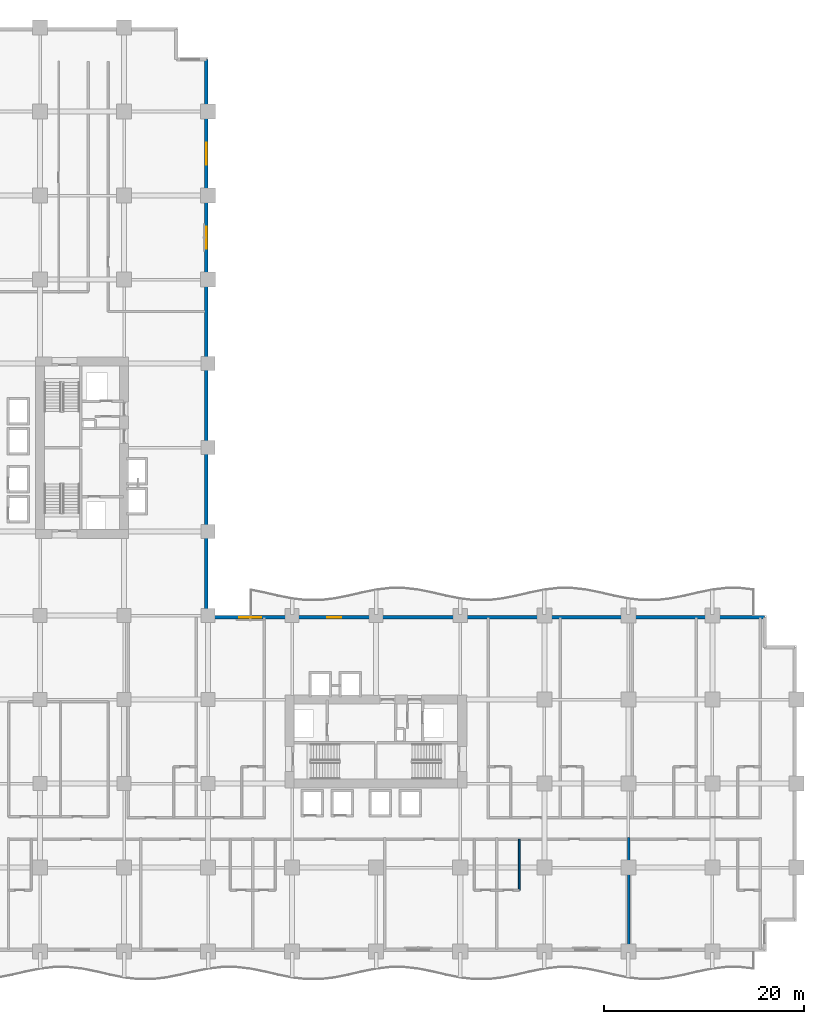
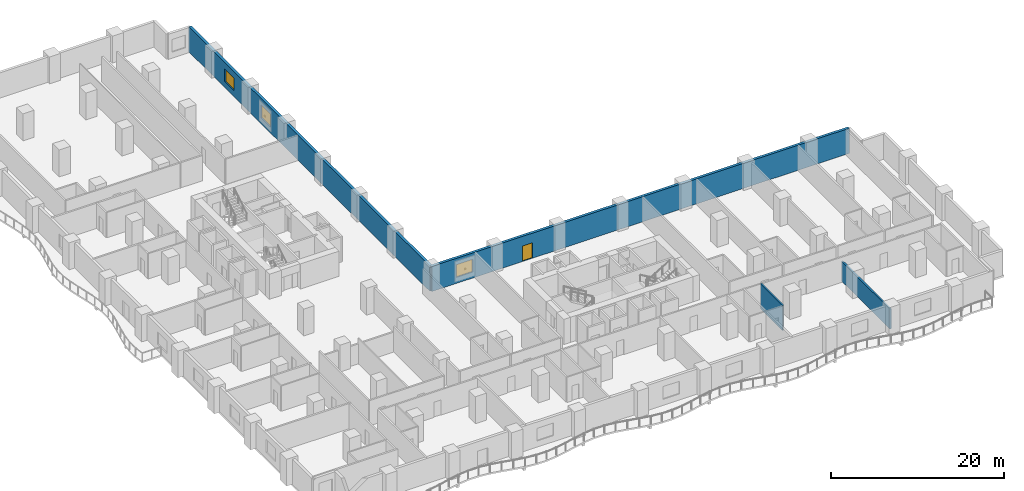
# One storey, part 11 of 22: 4 walls, 3 windows, 1 door, 4 openings.
"""IFC4 building model written with IfcOpenShell, lengths in metres."""

import ifcopenshell
import ifcopenshell.guid

model = None  # the IFC model being written
_history = None  # IfcOwnerHistory: only IFC2X3 demands one
_inside = {}  # id of a spatial element -> (the spatial element, [elements in it])
_under = {}  # id of a project, library or spatial element -> (it, [spatial elements below it])
_declared = {}  # id of a project -> (the project, [libraries it declares])
_typed = {}  # id of a type object -> (the type object, [elements of that type])
_made_of = {}  # id of a material, layer set ... -> (it, [elements and type objects made of it])


def new_model(schema):
    """Start an empty IFC model of exactly this schema.

    Asked for "IFC4X3", IfcOpenShell would pick the latest addendum, in which some entities
    have other attributes; the version numbers below select the first issue.
    IFC2X3 requires an IfcOwnerHistory on every rooted entity: one is made here for all.
    """
    global model, _history
    if schema == "IFC4X3":
        model = ifcopenshell.file(schema_version=(4, 3, 0, 0))
    else:
        model = ifcopenshell.file(schema=schema)
    _inside.clear()
    _under.clear()
    _declared.clear()
    _typed.clear()
    _made_of.clear()
    _history = None
    if model.schema == "IFC2X3":
        org = make("IfcOrganization", Name="unknown")
        user = make(
            "IfcPersonAndOrganization",
            ThePerson=make("IfcPerson", FamilyName="unknown"),
            TheOrganization=org,
        )
        app = make(
            "IfcApplication",
            ApplicationDeveloper=org,
            Version="unknown",
            ApplicationFullName="unknown",
            ApplicationIdentifier="unknown",
        )
        _history = make(
            "IfcOwnerHistory",
            OwningUser=user,
            OwningApplication=app,
            ChangeAction="ADDED",
            CreationDate=0,
        )
    return model


def make(cls, **values):
    """One entity of the class cls with the attributes given. An attribute that is None is left unset."""
    return model.create_entity(
        cls, **{name: value for name, value in values.items() if value is not None}
    )


def rooted(cls, **values):
    """An entity with a GlobalId (a new one), such as an element, a storey or a relation."""
    return make(cls, GlobalId=ifcopenshell.guid.new(), OwnerHistory=_history, **values)


def si_unit(unit_type, name, prefix=None):
    """IfcSIUnit, for example si_unit("LENGTHUNIT", "METRE", prefix="MILLI")."""
    return make("IfcSIUnit", UnitType=unit_type, Prefix=prefix, Name=name)


def assignment(units):
    """IfcUnitAssignment: the units of a project."""
    return None if units is None else make("IfcUnitAssignment", Units=units)


def point(xyz):
    """IfcCartesianPoint."""
    return None if xyz is None else make("IfcCartesianPoint", Coordinates=xyz)


def direction(xyz):
    """IfcDirection."""
    return None if xyz is None else make("IfcDirection", DirectionRatios=xyz)


def frame(location, z_axis=None, x_axis=None):
    """IfcAxis2Placement3D, a coordinate frame: its origin and axes. An axis left out is left unset."""
    return make(
        "IfcAxis2Placement3D",
        Location=point(location),
        Axis=direction(z_axis),
        RefDirection=direction(x_axis),
    )


def frame_2d(location, x_axis=None):
    """IfcAxis2Placement2D, a coordinate frame in the plane: its origin and x axis."""
    return make(
        "IfcAxis2Placement2D", Location=point(location), RefDirection=direction(x_axis)
    )


def origin():
    """The frame at (0, 0, 0) with its axes left unset."""
    return frame((0.0, 0.0, 0.0))


def place(relative_to, where):
    """IfcLocalPlacement: puts the frame where relative to a parent placement (None: the world)."""
    return make(
        "IfcLocalPlacement", PlacementRelTo=relative_to, RelativePlacement=where
    )


def context(
    kind, dimensions, precision=None, world=None, true_north=None, identifier=None
):
    """IfcGeometricRepresentationContext, for example the 3D "Model" context."""
    return make(
        "IfcGeometricRepresentationContext",
        ContextIdentifier=identifier,
        ContextType=kind,
        CoordinateSpaceDimension=dimensions,
        Precision=precision,
        WorldCoordinateSystem=world,
        TrueNorth=true_north,
    )


def subcontext(parent, identifier, kind, view, scale=None):
    """IfcGeometricRepresentationSubContext, for example "Body" below "Model"."""
    return make(
        "IfcGeometricRepresentationSubContext",
        ContextIdentifier=identifier,
        ContextType=kind,
        ParentContext=parent,
        TargetScale=scale,
        TargetView=view,
    )


def project(units=None, contexts=None):
    """IfcProject with its units and contexts."""
    return rooted(
        "IfcProject",
        Name="project",
        RepresentationContexts=contexts,
        UnitsInContext=assignment(units),
    )


def spatial(cls, under=None, at=None, **own):
    """A site, building, storey or space (cls), placed at a placement, below another one or the project."""
    s = rooted(cls, ObjectPlacement=at, **own)
    if under is not None:
        _under.setdefault(under.id(), (under, []))[1].append(s)
    return s


def profile(cls, at=None, kind="AREA", **sizes):
    """A parametric profile (cls). Its sizes go by their IFC names, for example OverallWidth=200.0."""
    return make(cls, ProfileType=kind, Position=at, **sizes)


def rectangle(**sizes):
    """IfcRectangleProfileDef."""
    return profile("IfcRectangleProfileDef", **sizes)


def extrude(swept, where, along, depth):
    """IfcExtrudedAreaSolid: the profile swept, set in the frame where, extruded along a direction by depth."""
    return make(
        "IfcExtrudedAreaSolid",
        SweptArea=swept,
        Position=where,
        ExtrudedDirection=direction(along),
        Depth=depth,
    )


def shape(context_of_items, identifier, shape_type, items):
    """IfcShapeRepresentation: the items that make up one representation, for example the "Body"."""
    return make(
        "IfcShapeRepresentation",
        ContextOfItems=context_of_items,
        RepresentationIdentifier=identifier,
        RepresentationType=shape_type,
        Items=items,
    )


def material(Name=None, Category=None):
    """IfcMaterial."""
    return make("IfcMaterial", Name=Name, Category=Category)


def layer(
    of_material, thickness, ventilated=None, Name=None, Category=None, Priority=None
):
    """IfcMaterialLayer: one layer of a wall or slab, of a material (None: an air gap)."""
    return make(
        "IfcMaterialLayer",
        Material=of_material,
        LayerThickness=thickness,
        IsVentilated=ventilated,
        Name=Name,
        Category=Category,
        Priority=Priority,
    )


def layer_set(layers, Name=None):
    """IfcMaterialLayerSet."""
    return make("IfcMaterialLayerSet", MaterialLayers=layers, LayerSetName=Name)


def made_of(thing, what):
    """Note that an element or type object is made of a material, layer set ...; save() writes the relation."""
    if what is not None:
        _made_of.setdefault(what.id(), (what, []))[1].append(thing)
    return thing


def type_object(cls, material=None, **own):
    """A type object (cls), such as IfcWallType, which elements share."""
    return made_of(rooted(cls, **own), material)


def element(
    cls,
    number,
    at=None,
    inside=None,
    cuts=None,
    type_object=None,
    material=None,
    context=None,
    identifier="Body",
    shape_type=None,
    held_by="IfcProductDefinitionShape",
    body=None,
    shapes=None,
    **own,
):
    """One element of the class cls, such as IfcWall. Its Tag is "e" and its number.

    at: its placement. inside: the storey or other place that contains it. cuts: it is an
    opening in that element (IfcRelVoidsElement). A single representation is given by context,
    identifier, shape_type and body (its items); several are given by shapes. held_by: the class
    of the entity that holds the representations. save() writes the other relations.
    """
    e = rooted(cls, Tag="e%d" % number, ObjectPlacement=at, **own)
    if body is not None:
        shapes = [shape(context, identifier, shape_type, body)]
    if shapes is not None:
        e.Representation = make(held_by, Representations=shapes)
    if inside is not None:
        _inside.setdefault(inside.id(), (inside, []))[1].append(e)
    if cuts is not None:
        rooted(
            "IfcRelVoidsElement", RelatingBuildingElement=cuts, RelatedOpeningElement=e
        )
    if type_object is not None:
        _typed.setdefault(type_object.id(), (type_object, []))[1].append(e)
    return made_of(e, material)


def fill(opening, filler):
    """IfcRelFillsElement: the door or window that sits in an opening."""
    return rooted(
        "IfcRelFillsElement",
        RelatingOpeningElement=opening,
        RelatedBuildingElement=filler,
    )


def aggregate(whole, parts):
    """IfcRelAggregates: a whole, such as a stair, and the parts it consists of."""
    return rooted("IfcRelAggregates", RelatingObject=whole, RelatedObjects=parts)


def save(model, path):
    """Write the relations noted so far, then the file.

    IfcRelAggregates (storeys below a building ...), IfcRelContainedInSpatialStructure (elements
    in a storey), IfcRelDefinesByType, IfcRelAssociatesMaterial and IfcRelDeclares: one each for
    every whole, place, type object, material and project.
    """
    for whole, parts in _under.values():
        aggregate(whole, parts)
    for where, things in _inside.values():
        rooted(
            "IfcRelContainedInSpatialStructure",
            RelatedElements=things,
            RelatingStructure=where,
        )
    for kind, things in _typed.values():
        rooted("IfcRelDefinesByType", RelatedObjects=things, RelatingType=kind)
    for what, things in _made_of.values():
        rooted("IfcRelAssociatesMaterial", RelatedObjects=things, RelatingMaterial=what)
    for by, libraries in _declared.values():
        rooted("IfcRelDeclares", RelatingContext=by, RelatedDefinitions=libraries)
    model.write(path)


model = new_model("IFC4")

# Units and contexts
model_context = context("Model", 3, precision=1e-05, world=origin(), true_north=direction((0.0, 1.0)))
body_context = subcontext(model_context, "Body", "Model", "MODEL_VIEW")
ifc_project = project(units=[si_unit("LENGTHUNIT", "METRE"), si_unit("AREAUNIT", "SQUARE_METRE"), si_unit("VOLUMEUNIT", "CUBIC_METRE"), si_unit("PLANEANGLEUNIT", "RADIAN"), si_unit("MASSUNIT", "GRAM", prefix="KILO")], contexts=[model_context])

# Site, building, storey
site_placement = place(None, origin())
site = spatial("IfcSite", under=ifc_project, at=site_placement, CompositionType="ELEMENT")
building_placement = place(site_placement, origin())
building = spatial("IfcBuilding", under=site, at=building_placement, Name="Koriwani Terraces Tower", CompositionType="ELEMENT")
storey_placement = place(building_placement, frame((0.0, 0.0, 43.39990234375)))
storey = spatial("IfcBuildingStorey", under=building, at=storey_placement, Name="L09", CompositionType="ELEMENT", Elevation=43.39990234375)

# Wall
ifc_material_1 = material(Name="Autoclaved Cellular Concrete Blockwork", Category="masonry")
ifc_layer_1 = layer(ifc_material_1, 0.219970703125, Name="Autoclaved Cellular Concrete Blockwork")
ifc_layer_set_1 = layer_set([ifc_layer_1], Name="Autoclaved Cellular Concrete Blockwork")
wall_type_1 = type_object("IfcWallType", Name="WALL_DEMISING_220", PredefinedType="PARTITIONING", material=ifc_layer_set_1)
wall_1_placement = place(storey_placement, frame((75.64990234375, 0.199951171875, 0.0), z_axis=(0.0, 0.0, 1.0), x_axis=(0.0, 1.0, 0.0)))
element("IfcWall", 1, at=wall_1_placement, inside=storey, type_object=wall_type_1, Name="L09 Interior Wall WDEM-L09-SW-5", PredefinedType="PARTITIONING", context=body_context, shape_type="SweptSolid", body=[
    extrude(rectangle(XDim=11.22998046875, YDim=0.219970703125, at=frame_2d((5.614990234375, 0.0))), origin(), (0.0, 0.0, 1.0), 2.800048828125),
])

# Wall, openings, windows
ifc_material_2 = material(Name="Concrete C50/60", Category="concrete")
ifc_layer_2 = layer(ifc_material_2, 0.35009765625, Name="Concrete C50/60")
ifc_layer_set_2 = layer_set([ifc_layer_2], Name="Concrete C50/60")
wall_type_2 = type_object("IfcWallType", Name="WALL_EXT_BRUTALIST_350", PredefinedType="STANDARD", material=ifc_layer_set_2)
wall_2_placement = place(storey_placement, frame((33.425048828125, 89.22509765625, 0.0), z_axis=(0.0, 0.0, 1.0), x_axis=(0.0, -1.0, 0.0)))
wall_2 = element("IfcWall", 2, at=wall_2_placement, inside=storey, type_object=wall_type_2, Name="L09 Fair-Faced Brutalist Exterior Wall (NW_IN)", PredefinedType="STANDARD", context=body_context, shape_type="SweptSolid", body=[
    extrude(rectangle(XDim=55.800048828125, YDim=0.35009765625, at=frame_2d((27.89990234375, 0.0))), origin(), (0.0, 0.0, 1.0), 3.550048828125),
])
opening_1_placement = place(wall_2_placement, frame((16.72509765625, 0.0, 0.85009765625)))
opening_1 = element("IfcOpeningElement", 3, at=opening_1_placement, cuts=wall_2, Name="Opening W-01", PredefinedType="OPENING", context=body_context, shape_type="SweptSolid", body=[
    extrude(rectangle(XDim=2.199951171875, YDim=1.800048828125, at=frame_2d((1.10009765625, 0.89990234375))), frame((0.0, 0.18505859375, 0.0), z_axis=(0.0, -1.0, 0.0), x_axis=(1.0, 0.0, 0.0)), (0.0, 0.0, 1.0), 0.3701171875),
])
opening_2_placement = place(wall_2_placement, frame((8.324951171875, 0.0, 0.85009765625)))
opening_2 = element("IfcOpeningElement", 4, at=opening_2_placement, cuts=wall_2, Name="Opening W-01", PredefinedType="OPENING", context=body_context, shape_type="SweptSolid", body=[
    extrude(rectangle(XDim=2.199951171875, YDim=1.800048828125, at=frame_2d((1.10009765625, 0.89990234375))), frame((0.0, 0.18505859375, 0.0), z_axis=(0.0, -1.0, 0.0), x_axis=(1.0, 0.0, 0.0)), (0.0, 0.0, 1.0), 0.3701171875),
])
ifc_material_3 = material(Name="Tempered Laminated Low-E Glass", Category="glass")
window_type = type_object("IfcWindowType", Name="WIN_HOTEL_STD_2200X1800", PartitioningType="DOUBLE_PANEL_VERTICAL", PredefinedType="WINDOW", material=ifc_material_3)
window_1_placement = place(opening_1_placement, origin())
window_1 = element("IfcWindow", 5, at=window_1_placement, inside=storey, type_object=window_type, Name="L09 Exterior Window (NW_IN-14)", OverallHeight=1.800048828125, OverallWidth=2.199951171875, PartitioningType="SINGLE_PANEL", PredefinedType="WINDOW", context=body_context, shape_type="SweptSolid", body=[
    extrude(rectangle(XDim=2.199951171875, YDim=1.800048828125, at=frame_2d((1.10009765625, 0.89990234375))), frame((0.0, 0.030029296875, 0.0), z_axis=(0.0, -1.0, 0.0), x_axis=(1.0, 0.0, 0.0)), (0.0, 0.0, 1.0), 0.06005859375),
])
fill(opening_1, window_1)
window_2_placement = place(opening_2_placement, origin())
window_2 = element("IfcWindow", 6, at=window_2_placement, inside=storey, type_object=window_type, Name="L09 Exterior Window (NW_IN-17)", OverallHeight=1.800048828125, OverallWidth=2.199951171875, PartitioningType="SINGLE_PANEL", PredefinedType="WINDOW", context=body_context, shape_type="SweptSolid", body=[
    extrude(rectangle(XDim=2.199951171875, YDim=1.800048828125, at=frame_2d((1.10009765625, 0.89990234375))), frame((0.0, 0.030029296875, 0.0), z_axis=(0.0, -1.0, 0.0), x_axis=(1.0, 0.0, 0.0)), (0.0, 0.0, 1.0), 0.06005859375),
])
fill(opening_2, window_2)

# Wall, openings, door, window
wall_3_placement = place(storey_placement, frame((33.425048828125, 33.425048828125, 0.0), z_axis=(0.0, 0.0, 1.0), x_axis=(1.0, 0.0, 0.0)))
wall_3 = element("IfcWall", 7, at=wall_3_placement, inside=storey, type_object=wall_type_2, Name="L09 Fair-Faced Brutalist Exterior Wall (NE)", PredefinedType="STANDARD", context=body_context, shape_type="SweptSolid", body=[
    extrude(rectangle(XDim=55.800048828125, YDim=0.35009765625, at=frame_2d((27.89990234375, 0.0))), origin(), (0.0, 0.0, 1.0), 3.550048828125),
])
opening_3_placement = place(wall_3_placement, frame((12.074951171875, 0.0, 0.0)))
opening_3 = element("IfcOpeningElement", 8, at=opening_3_placement, cuts=wall_3, Name="Opening D-09", PredefinedType="OPENING", context=body_context, shape_type="SweptSolid", body=[
    extrude(rectangle(XDim=1.39990234375, YDim=2.199951171875, at=frame_2d((0.699951171875, 1.10009765625))), frame((0.0, 0.18505859375, 0.0), z_axis=(0.0, -1.0, 0.0), x_axis=(1.0, 0.0, 0.0)), (0.0, 0.0, 1.0), 0.3701171875),
])
opening_4_placement = place(wall_3_placement, frame((3.27490234375, 0.0, 0.85009765625)))
opening_4 = element("IfcOpeningElement", 9, at=opening_4_placement, cuts=wall_3, Name="Opening W-01", PredefinedType="OPENING", context=body_context, shape_type="SweptSolid", body=[
    extrude(rectangle(XDim=2.199951171875, YDim=1.800048828125, at=frame_2d((1.10009765625, 0.89990234375))), frame((0.0, 0.18505859375, 0.0), z_axis=(0.0, -1.0, 0.0), x_axis=(1.0, 0.0, 0.0)), (0.0, 0.0, 1.0), 0.3701171875),
])
ifc_material_4 = material(Name="Anodised Bronze Aluminium", Category="aluminium")
door_type = type_object("IfcDoorType", Name="DOOR_BALCONY_GLAZED_1400X2200", OperationType="NOTDEFINED", PredefinedType="DOOR", material=ifc_material_4)
door_placement = place(opening_3_placement, origin())
door = element("IfcDoor", 10, at=door_placement, inside=storey, type_object=door_type, Name="L09 Inner Court Balcony Glazed Door", OperationType="SINGLE_SWING_LEFT", OverallHeight=2.199951171875, OverallWidth=1.39990234375, PredefinedType="DOOR", context=body_context, shape_type="SweptSolid", body=[
    extrude(rectangle(XDim=1.39990234375, YDim=2.199951171875, at=frame_2d((0.699951171875, 1.10009765625))), frame((0.0, 0.02490234375, 0.0), z_axis=(0.0, -1.0, 0.0), x_axis=(1.0, 0.0, 0.0)), (0.0, 0.0, 1.0), 0.050048828125),
])
fill(opening_3, door)
window_3_placement = place(opening_4_placement, origin())
window_3 = element("IfcWindow", 11, at=window_3_placement, inside=storey, type_object=window_type, Name="L09 Exterior Window (NE-2)", OverallHeight=1.800048828125, OverallWidth=2.199951171875, PartitioningType="SINGLE_PANEL", PredefinedType="WINDOW", context=body_context, shape_type="SweptSolid", body=[
    extrude(rectangle(XDim=2.199951171875, YDim=1.800048828125, at=frame_2d((1.10009765625, 0.89990234375))), frame((0.0, 0.030029296875, 0.0), z_axis=(0.0, -1.0, 0.0), x_axis=(1.0, 0.0, 0.0)), (0.0, 0.0, 1.0), 0.06005859375),
])
fill(opening_4, window_3)

# Wall
ifc_material_5 = material(Name="Fire-Rated Acoustic Gypsum Partition", Category="masonry")
ifc_layer_3 = layer(ifc_material_5, 0.179931640625, Name="Fire-Rated Acoustic Gypsum Partition")
ifc_layer_set_3 = layer_set([ifc_layer_3], Name="Fire-Rated Acoustic Gypsum Partition")
wall_type_3 = type_object("IfcWallType", Name="WALL_PLUMBING_180", PredefinedType="PLUMBINGWALL", material=ifc_layer_set_3)
wall_4_placement = place(storey_placement, frame((64.699951171875, 6.14990234375, 0.0), z_axis=(0.0, 0.0, 1.0), x_axis=(0.0, 1.0, 0.0)))
element("IfcWall", 12, at=wall_4_placement, inside=storey, type_object=wall_type_3, Name="L09 Interior Wall WBTH2-L09-SW-4", PredefinedType="PLUMBINGWALL", context=body_context, shape_type="SweptSolid", body=[
    extrude(rectangle(XDim=5.10009765625, YDim=0.179931640625, at=frame_2d((2.550048828125, 0.0))), origin(), (0.0, 0.0, 1.0), 3.550048828125),
])

save(model, "model.ifc")
